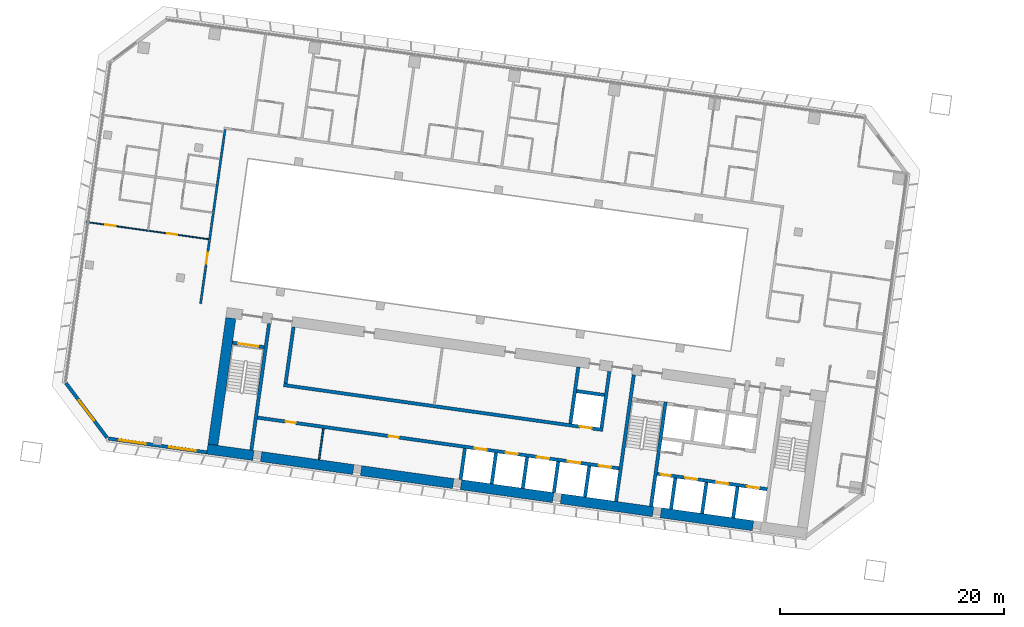
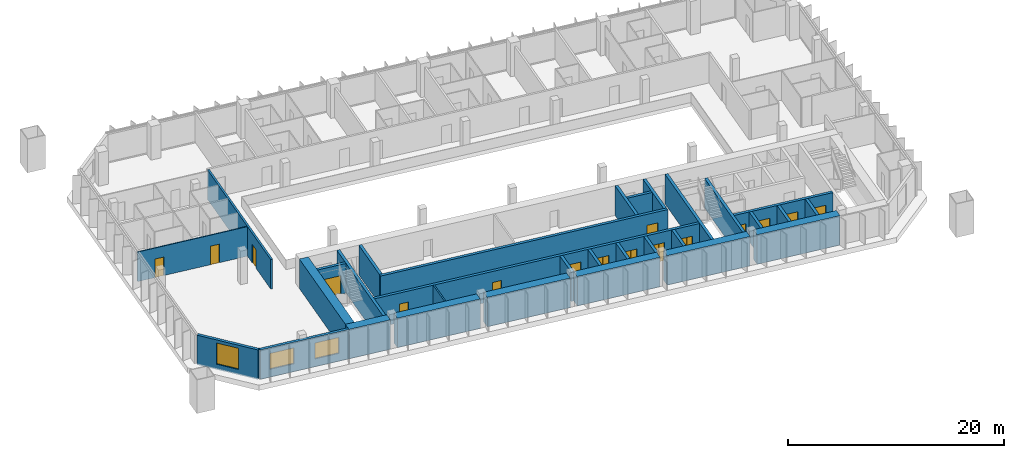
# One storey, part 14 of 25: 31 walls, 16 doors, 3 windows, 19 openings.
"""IFC4 building model written with IfcOpenShell, lengths in metres."""

from ifc_helpers import new_model, si_unit, direction, frame, frame_2d, origin, place, context, subcontext, project, spatial, rectangle, extrude, material, layer, layer_set, type_object, element, fill, save


model = new_model("IFC4")

# Units and contexts
model_context = context("Model", 3, precision=1e-05, world=origin(), true_north=direction((0.0, 1.0)))
body_context = subcontext(model_context, "Body", "Model", "MODEL_VIEW")
ifc_project = project(units=[si_unit("LENGTHUNIT", "METRE"), si_unit("AREAUNIT", "SQUARE_METRE"), si_unit("VOLUMEUNIT", "CUBIC_METRE"), si_unit("PLANEANGLEUNIT", "RADIAN"), si_unit("MASSUNIT", "GRAM", prefix="KILO")], contexts=[model_context])

# Site, building, storey
site_placement = place(None, origin())
site = spatial("IfcSite", under=ifc_project, at=site_placement, CompositionType="ELEMENT")
building_placement = place(site_placement, origin())
building = spatial("IfcBuilding", under=site, at=building_placement, Name="Mirante Cascada Hotel Towers", CompositionType="ELEMENT")
storey_placement = place(building_placement, frame((0.0, 0.0, 58.5)))
storey = spatial("IfcBuildingStorey", under=building, at=storey_placement, Name="L11", CompositionType="ELEMENT", Elevation=58.5)

# Wall, opening, door
ifc_material_1 = material(Name="Fire-rated plasterboard on metal studs")
ifc_layer_1 = layer(ifc_material_1, 0.2)
ifc_layer_set_1 = layer_set([ifc_layer_1], Name="Compartment wall 200 EI 120")
wall_type_1 = type_object("IfcWallType", Name="Compartment wall 200 EI 120", PredefinedType="PARTITIONING", material=ifc_layer_set_1)
wall_1_placement = place(storey_placement, frame((-88.9295, 16.2793, 0.0), z_axis=(0.0, 0.0, 1.0), x_axis=(-0.1391721, -0.9902682, 0.0)))
wall_1 = element("IfcWall", 1, at=wall_1_placement, inside=storey, type_object=wall_type_1, Name="Wall 1-L11-59", PredefinedType="PARTITIONING", context=body_context, shape_type="SweptSolid", body=[
    extrude(rectangle(XDim=15.7, YDim=0.2, at=frame_2d((7.85, 0.0))), origin(), (0.0, 0.0, 1.0), 3.35),
])
opening_1_placement = place(wall_1_placement, frame((11.1, 0.0, 0.0)))
opening_1 = element("IfcOpeningElement", 2, at=opening_1_placement, cuts=wall_1, Name="Opening D1-L11-38", PredefinedType="OPENING", context=body_context, shape_type="SweptSolid", body=[
    extrude(rectangle(XDim=1.0, YDim=2.1, at=frame_2d((0.5, 1.05))), frame((0.0, 0.1, 0.0), z_axis=(0.0, -1.0, 0.0), x_axis=(1.0, 0.0, 0.0)), (0.0, 0.0, 1.0), 0.2),
])
ifc_material_2 = material(Name="Fire-rated timber door leaf", Category="wood")
door_type_1 = type_object("IfcDoorType", Name="Entrance door DG1 1000x2100 EI 60", OperationType="SINGLE_SWING_LEFT", PredefinedType="DOOR", material=ifc_material_2)
door_1_placement = place(opening_1_placement, frame((1.0, 0.0, 0.0), z_axis=(0.0, 0.0, 1.0), x_axis=(-1.0, 0.0, 0.0)))
door_1 = element("IfcDoor", 3, at=door_1_placement, inside=storey, type_object=door_type_1, Name="Door D1-L11-38", OperationType="SINGLE_SWING_RIGHT", OverallHeight=2.1, OverallWidth=1.0, PredefinedType="DOOR", context=body_context, shape_type="SweptSolid", body=[
    extrude(rectangle(XDim=1.0, YDim=2.1, at=frame_2d((0.5, 1.05))), frame((0.0, 0.025, 0.0), z_axis=(0.0, -1.0, 0.0), x_axis=(1.0, 0.0, 0.0)), (0.0, 0.0, 1.0), 0.05),
])
fill(opening_1, door_1)

# Wall
ifc_material_3 = material(Name="Masonry block", Category="masonry")
ifc_layer_2 = layer(ifc_material_3, 0.15)
ifc_layer_set_2 = layer_set([ifc_layer_2], Name="Core room partition 150 block EI 30")
wall_type_2 = type_object("IfcWallType", Name="Core room partition 150 block EI 30", PredefinedType="PARTITIONING", material=ifc_layer_set_2)
wall_2_placement = place(storey_placement, frame((-80.547, -13.174, 0.0), z_axis=(0.0, 0.0, 1.0), x_axis=(0.139176, 0.9902677, 0.0)))
element("IfcWall", 4, at=wall_2_placement, inside=storey, type_object=wall_type_2, Name="Core wall partition T1 L11 5", PredefinedType="PARTITIONING", context=body_context, shape_type="SweptSolid", body=[
    extrude(rectangle(XDim=2.8001, YDim=0.15, at=frame_2d((1.4, 0.0))), origin(), (0.0, 0.0, 1.0), 3.35),
])

# Wall, openings, doors
ifc_material_4 = material(Name="Plasterboard on metal studs")
ifc_layer_3 = layer(ifc_material_4, 0.1)
ifc_layer_set_3 = layer_set([ifc_layer_3], Name="Partition 100")
wall_type_3 = type_object("IfcWallType", Name="Partition 100", PredefinedType="PARTITIONING", material=ifc_layer_set_3)
wall_3_placement = place(storey_placement, frame((-101.2993, 8.0205, 0.0), z_axis=(0.0, 0.0, 1.0), x_axis=(0.990268, -0.1391733, 0.0)))
wall_3 = element("IfcWall", 5, at=wall_3_placement, inside=storey, type_object=wall_type_3, Name="Wall 1-L11-07", PredefinedType="PARTITIONING", context=body_context, shape_type="SweptSolid", body=[
    extrude(rectangle(XDim=11.0, YDim=0.1, at=frame_2d((5.5, 0.0))), origin(), (0.0, 0.0, 1.0), 3.35),
])
opening_2_placement = place(wall_3_placement, frame((7.275, 0.0, 0.0)))
opening_2 = element("IfcOpeningElement", 6, at=opening_2_placement, cuts=wall_3, Name="Opening D1-L11-02", PredefinedType="OPENING", context=body_context, shape_type="SweptSolid", body=[
    extrude(rectangle(XDim=0.9, YDim=2.1, at=frame_2d((0.45, 1.05))), frame((0.0, 0.05, 0.0), z_axis=(0.0, -1.0, 0.0), x_axis=(1.0, 0.0, 0.0)), (0.0, 0.0, 1.0), 0.1),
])
opening_3_placement = place(wall_3_placement, frame((1.725, 0.0, 0.0)))
opening_3 = element("IfcOpeningElement", 7, at=opening_3_placement, cuts=wall_3, Name="Opening D1-L11-03", PredefinedType="OPENING", context=body_context, shape_type="SweptSolid", body=[
    extrude(rectangle(XDim=0.9, YDim=2.1, at=frame_2d((0.45, 1.05))), frame((0.0, 0.05, 0.0), z_axis=(0.0, -1.0, 0.0), x_axis=(1.0, 0.0, 0.0)), (0.0, 0.0, 1.0), 0.1),
])
ifc_material_5 = material(Name="Timber door leaf", Category="wood")
door_type_2 = type_object("IfcDoorType", Name="Room door DG3 900x2100", OperationType="SINGLE_SWING_LEFT", PredefinedType="DOOR", material=ifc_material_5)
door_2_placement = place(opening_2_placement, frame((0.9, 0.0, 0.0), z_axis=(0.0, 0.0, 1.0), x_axis=(-1.0, 0.0, 0.0)))
door_2 = element("IfcDoor", 8, at=door_2_placement, inside=storey, type_object=door_type_2, Name="Door D1-L11-02", OperationType="SINGLE_SWING_RIGHT", OverallHeight=2.1, OverallWidth=0.9, PredefinedType="DOOR", context=body_context, shape_type="SweptSolid", body=[
    extrude(rectangle(XDim=0.9, YDim=2.1, at=frame_2d((0.45, 1.05))), frame((0.0, 0.025, 0.0), z_axis=(0.0, -1.0, 0.0), x_axis=(1.0, 0.0, 0.0)), (0.0, 0.0, 1.0), 0.05),
])
fill(opening_2, door_2)
door_3_placement = place(opening_3_placement, frame((0.9, 0.0, 0.0), z_axis=(0.0, 0.0, 1.0), x_axis=(-1.0, 0.0, 0.0)))
door_3 = element("IfcDoor", 9, at=door_3_placement, inside=storey, type_object=door_type_2, Name="Door D1-L11-03", OperationType="SINGLE_SWING_RIGHT", OverallHeight=2.1, OverallWidth=0.9, PredefinedType="DOOR", context=body_context, shape_type="SweptSolid", body=[
    extrude(rectangle(XDim=0.9, YDim=2.1, at=frame_2d((0.45, 1.05))), frame((0.0, 0.025, 0.0), z_axis=(0.0, -1.0, 0.0), x_axis=(1.0, 0.0, 0.0)), (0.0, 0.0, 1.0), 0.05),
])
fill(opening_3, door_3)

# Wall, openings, windows
ifc_material_6 = material(Name="Precast concrete C40/50", Category="concrete")
ifc_layer_4 = layer(ifc_material_6, 0.3)
ifc_layer_set_4 = layer_set([ifc_layer_4], Name="Precast concrete C40/50 cladding wall 300")
wall_type_4 = type_object("IfcWallType", Name="Precast concrete C40/50 cladding wall 300", PredefinedType="STANDARD", material=ifc_layer_set_4)
wall_4_placement = place(storey_placement, frame((-90.5541, -12.5249, 0.0), z_axis=(0.0, 0.0, 1.0), x_axis=(-0.9902676, 0.1391765, 0.0)))
wall_4 = element("IfcWall", 10, at=wall_4_placement, inside=storey, type_object=wall_type_4, Name="Rear cladding wall T1 L11 1", PredefinedType="STANDARD", context=body_context, shape_type="SweptSolid", body=[
    extrude(rectangle(XDim=8.8758, YDim=0.3, at=frame_2d((4.4379, 0.0))), origin(), (0.0, 0.0, 1.0), 3.35),
])
opening_4_placement = place(wall_4_placement, frame((1.0012, 0.0, 0.9)))
opening_4 = element("IfcOpeningElement", 11, at=opening_4_placement, cuts=wall_4, Name="Opening W1-11-01", PredefinedType="OPENING", context=body_context, shape_type="SweptSolid", body=[
    extrude(rectangle(XDim=2.4, YDim=1.8, at=frame_2d((1.2, 0.9))), frame((0.0, 0.15, 0.0), z_axis=(0.0, -1.0, 0.0), x_axis=(1.0, 0.0, 0.0)), (0.0, 0.0, 1.0), 0.3),
])
opening_5_placement = place(wall_4_placement, frame((5.4923, 0.0, 0.9)))
opening_5 = element("IfcOpeningElement", 12, at=opening_5_placement, cuts=wall_4, Name="Opening W1-11-02", PredefinedType="OPENING", context=body_context, shape_type="SweptSolid", body=[
    extrude(rectangle(XDim=2.4, YDim=1.8, at=frame_2d((1.2, 0.9))), frame((0.0, 0.15, 0.0), z_axis=(0.0, -1.0, 0.0), x_axis=(1.0, 0.0, 0.0)), (0.0, 0.0, 1.0), 0.3),
])
ifc_material_7 = material(Name="Aluminium frame with clear double glazing", Category="aluminium")
window_type_1 = type_object("IfcWindowType", Name="Punched window 2400x1800", PartitioningType="DOUBLE_PANEL_VERTICAL", PredefinedType="WINDOW", material=ifc_material_7)
window_1_placement = place(opening_4_placement, origin())
window_1 = element("IfcWindow", 13, at=window_1_placement, inside=storey, type_object=window_type_1, Name="Window W1-11-01", OverallHeight=1.8, OverallWidth=2.4, PartitioningType="SINGLE_PANEL", PredefinedType="WINDOW", context=body_context, shape_type="SweptSolid", body=[
    extrude(rectangle(XDim=2.4, YDim=1.8, at=frame_2d((1.2, 0.9))), frame((0.0, 0.03, 0.0), z_axis=(0.0, -1.0, 0.0), x_axis=(1.0, 0.0, 0.0)), (0.0, 0.0, 1.0), 0.06),
])
fill(opening_4, window_1)
window_2_placement = place(opening_5_placement, origin())
window_2 = element("IfcWindow", 14, at=window_2_placement, inside=storey, type_object=window_type_1, Name="Window W1-11-02", OverallHeight=1.8, OverallWidth=2.4, PartitioningType="SINGLE_PANEL", PredefinedType="WINDOW", context=body_context, shape_type="SweptSolid", body=[
    extrude(rectangle(XDim=2.4, YDim=1.8, at=frame_2d((1.2, 0.9))), frame((0.0, 0.03, 0.0), z_axis=(0.0, -1.0, 0.0), x_axis=(1.0, 0.0, 0.0)), (0.0, 0.0, 1.0), 0.06),
])
fill(opening_5, window_2)

# Wall, opening, window
wall_5_placement = place(storey_placement, frame((-99.4424, -11.2313, 0.0), z_axis=(0.0, 0.0, 1.0), x_axis=(-0.6018194, 0.7986322, 0.0)))
wall_5 = element("IfcWall", 15, at=wall_5_placement, inside=storey, type_object=wall_type_4, Name="Corner cladding wall T1 L11 rear outer", PredefinedType="STANDARD", context=body_context, shape_type="SweptSolid", body=[
    extrude(rectangle(XDim=6.1155, YDim=0.3, at=frame_2d((3.0578, 0.0))), origin(), (0.0, 0.0, 1.0), 3.35),
])
opening_6_placement = place(wall_5_placement, frame((1.9576, 0.0, 0.6)))
opening_6 = element("IfcOpeningElement", 16, at=opening_6_placement, cuts=wall_5, Name="Opening W1-11-03", PredefinedType="OPENING", context=body_context, shape_type="SweptSolid", body=[
    extrude(rectangle(XDim=2.2, YDim=2.4, at=frame_2d((1.1, 1.2))), frame((0.0, 0.15, 0.0), z_axis=(0.0, -1.0, 0.0), x_axis=(1.0, 0.0, 0.0)), (0.0, 0.0, 1.0), 0.3),
])
ifc_material_8 = material(Name="Aluminium frame with clear double glazing", Category="aluminium")
window_type_2 = type_object("IfcWindowType", Name="Corner suite window 2200x2400", PartitioningType="DOUBLE_PANEL_VERTICAL", PredefinedType="WINDOW", material=ifc_material_8)
window_3_placement = place(opening_6_placement, origin())
window_3 = element("IfcWindow", 17, at=window_3_placement, inside=storey, type_object=window_type_2, Name="Window W1-11-03", OverallHeight=2.4, OverallWidth=2.2, PartitioningType="SINGLE_PANEL", PredefinedType="WINDOW", context=body_context, shape_type="SweptSolid", body=[
    extrude(rectangle(XDim=2.2, YDim=2.4, at=frame_2d((1.1, 1.2))), frame((0.0, 0.03, 0.0), z_axis=(0.0, -1.0, 0.0), x_axis=(1.0, 0.0, 0.0)), (0.0, 0.0, 1.0), 0.06),
])
fill(opening_6, window_3)

# Walls
ifc_material_9 = material(Name="Concrete C50/60", Category="concrete")
ifc_layer_5 = layer(ifc_material_9, 0.3)
ifc_layer_set_5 = layer_set([ifc_layer_5], Name="RC core wall 300 C50/60")
wall_type_5 = type_object("IfcWallType", Name="RC core wall 300 C50/60", PredefinedType="SHEAR", material=ifc_layer_set_5)
wall_6_placement = place(storey_placement, frame((-50.938, -17.3352, 0.0), z_axis=(0.0, 0.0, 1.0), x_axis=(0.1391706, 0.9902684, 0.0)))
element("IfcWall", 18, at=wall_6_placement, inside=storey, type_object=wall_type_5, Name="Core wall T1:L11:6", PredefinedType="SHEAR", context=body_context, shape_type="SweptSolid", body=[
    extrude(rectangle(XDim=9.4, YDim=0.3, at=frame_2d((4.7, 0.0))), origin(), (0.0, 0.0, 1.0), 3.35),
])
wall_7_placement = place(storey_placement, frame((-54.0574, -16.8968, 0.0), z_axis=(0.0, 0.0, 1.0), x_axis=(0.1391761, 0.9902677, 0.0)))
element("IfcWall", 19, at=wall_7_placement, inside=storey, type_object=wall_type_5, Name="Core wall T1:L11:7", PredefinedType="SHEAR", context=body_context, shape_type="SweptSolid", body=[
    extrude(rectangle(XDim=11.3999, YDim=0.3, at=frame_2d((5.7, 0.0))), origin(), (0.0, 0.0, 1.0), 3.35),
])
wall_8_placement = place(storey_placement, frame((-86.5877, -12.325, 0.0), z_axis=(0.0, 0.0, 1.0), x_axis=(0.1391749, 0.9902678, 0.0)))
element("IfcWall", 20, at=wall_8_placement, inside=storey, type_object=wall_type_5, Name="Core wall T1:L11:8", PredefinedType="SHEAR", context=body_context, shape_type="SweptSolid", body=[
    extrude(rectangle(XDim=11.4, YDim=0.3, at=frame_2d((5.7, 0.0))), origin(), (0.0, 0.0, 1.0), 3.35),
])

# Wall, opening, door
wall_9_placement = place(storey_placement, frame((-85.4489, -3.1441, 0.0), z_axis=(0.0, 0.0, 1.0), x_axis=(-0.9902697, 0.1391613, 0.0)))
wall_9 = element("IfcWall", 21, at=wall_9_placement, inside=storey, type_object=wall_type_5, Name="Core wall T1:L11:11", PredefinedType="SHEAR", context=body_context, shape_type="SweptSolid", body=[
    extrude(rectangle(XDim=2.8499, YDim=0.3, at=frame_2d((1.425, 0.0))), origin(), (0.0, 0.0, 1.0), 3.35),
])
opening_7_placement = place(wall_9_placement, frame((0.525, 0.0, 0.0)))
opening_7 = element("IfcOpeningElement", 22, at=opening_7_placement, cuts=wall_9, Name="Opening D1-11-C17", PredefinedType="OPENING", context=body_context, shape_type="SweptSolid", body=[
    extrude(rectangle(XDim=1.8, YDim=2.1, at=frame_2d((0.9, 1.05))), frame((0.0, 0.15, 0.0), z_axis=(0.0, -1.0, 0.0), x_axis=(1.0, 0.0, 0.0)), (0.0, 0.0, 1.0), 0.3),
])
ifc_material_10 = material(Name="Hollow metal fire door leaf")
door_type_3 = type_object("IfcDoorType", Name="Double fire door 1800x2100 FD60", OperationType="DOUBLE_DOOR_SINGLE_SWING", PredefinedType="DOOR", material=ifc_material_10)
door_4_placement = place(opening_7_placement, origin())
door_4 = element("IfcDoor", 23, at=door_4_placement, inside=storey, type_object=door_type_3, Name="Stair door T1 L11 17", OperationType="DOUBLE_DOOR_SINGLE_SWING", OverallHeight=2.1, OverallWidth=1.8, PredefinedType="DOOR", context=body_context, shape_type="SweptSolid", body=[
    extrude(rectangle(XDim=0.895, YDim=2.1, at=frame_2d((0.4475, 1.05))), frame((0.0, 0.025, 0.0), z_axis=(0.0, -1.0, 0.0), x_axis=(1.0, 0.0, 0.0)), (0.0, 0.0, 1.0), 0.05),
    extrude(rectangle(XDim=0.895, YDim=2.1, at=frame_2d((1.3525, 1.05))), frame((0.0, 0.025, 0.0), z_axis=(0.0, -1.0, 0.0), x_axis=(1.0, 0.0, 0.0)), (0.0, 0.0, 1.0), 0.05),
])
fill(opening_7, door_4)

# Wall, openings, doors
wall_10_placement = place(storey_placement, frame((-40.5753, -15.8126, 0.0), z_axis=(0.0, 0.0, 1.0), x_axis=(-0.9902682, 0.1391725, 0.0)))
wall_10 = element("IfcWall", 24, at=wall_10_placement, inside=storey, type_object=wall_type_5, Name="Core wall T1:L11:12", PredefinedType="SHEAR", context=body_context, shape_type="SweptSolid", body=[
    extrude(rectangle(XDim=9.8999, YDim=0.3, at=frame_2d((4.95, 0.0))), origin(), (0.0, 0.0, 1.0), 3.35),
])
opening_8_placement = place(wall_10_placement, frame((0.7, 0.0, 0.0)))
opening_8 = element("IfcOpeningElement", 25, at=opening_8_placement, cuts=wall_10, Name="Opening LD", PredefinedType="OPENING", context=body_context, shape_type="SweptSolid", body=[
    extrude(rectangle(XDim=1.1, YDim=2.1, at=frame_2d((0.55, 1.05))), frame((0.0, 0.15, 0.0), z_axis=(0.0, -1.0, 0.0), x_axis=(1.0, 0.0, 0.0)), (0.0, 0.0, 1.0), 0.3),
])
opening_9_placement = place(wall_10_placement, frame((3.5, 0.0, 0.0)))
opening_9 = element("IfcOpeningElement", 26, at=opening_9_placement, cuts=wall_10, Name="Opening LD", PredefinedType="OPENING", context=body_context, shape_type="SweptSolid", body=[
    extrude(rectangle(XDim=1.1, YDim=2.1, at=frame_2d((0.55, 1.05))), frame((0.0, 0.15, 0.0), z_axis=(0.0, -1.0, 0.0), x_axis=(1.0, 0.0, 0.0)), (0.0, 0.0, 1.0), 0.3),
])
opening_10_placement = place(wall_10_placement, frame((6.3, 0.0, 0.0)))
opening_10 = element("IfcOpeningElement", 27, at=opening_10_placement, cuts=wall_10, Name="Opening LD", PredefinedType="OPENING", context=body_context, shape_type="SweptSolid", body=[
    extrude(rectangle(XDim=1.1, YDim=2.1, at=frame_2d((0.55, 1.05))), frame((0.0, 0.15, 0.0), z_axis=(0.0, -1.0, 0.0), x_axis=(1.0, 0.0, 0.0)), (0.0, 0.0, 1.0), 0.3),
])
opening_11_placement = place(wall_10_placement, frame((8.7, 0.0, 0.0)))
opening_11 = element("IfcOpeningElement", 28, at=opening_11_placement, cuts=wall_10, Name="Opening D1-11-C22", PredefinedType="OPENING", context=body_context, shape_type="SweptSolid", body=[
    extrude(rectangle(XDim=0.9, YDim=2.1, at=frame_2d((0.45, 1.05))), frame((0.0, 0.15, 0.0), z_axis=(0.0, -1.0, 0.0), x_axis=(1.0, 0.0, 0.0)), (0.0, 0.0, 1.0), 0.3),
])
ifc_material_11 = material(Name="Hollow metal fire door leaf")
door_type_4 = type_object("IfcDoorType", Name="Fire door 900x2100 FD60", OperationType="NOTDEFINED", PredefinedType="DOOR", material=ifc_material_11)
door_5_placement = place(opening_11_placement, origin())
door_5 = element("IfcDoor", 29, at=door_5_placement, inside=storey, type_object=door_type_4, Name="Riser door T1 L11 22", OperationType="SINGLE_SWING_LEFT", OverallHeight=2.1, OverallWidth=0.9, PredefinedType="DOOR", context=body_context, shape_type="SweptSolid", body=[
    extrude(rectangle(XDim=0.9, YDim=2.1, at=frame_2d((0.45, 1.05))), frame((0.0, 0.025, 0.0), z_axis=(0.0, -1.0, 0.0), x_axis=(1.0, 0.0, 0.0)), (0.0, 0.0, 1.0), 0.05),
])
fill(opening_11, door_5)
ifc_material_12 = material(Name="Stainless steel", Category="steel")
door_type_5 = type_object("IfcDoorType", Name="Lift landing door 1100x2100 EI 120", OperationType="DOUBLE_DOOR_SLIDING", PredefinedType="DOOR", material=ifc_material_12)
door_6_placement = place(opening_8_placement, origin())
door_6 = element("IfcDoor", 30, at=door_6_placement, inside=storey, type_object=door_type_5, Name="Lift landing door HR1-1 L11", OperationType="DOUBLE_DOOR_SLIDING", OverallHeight=2.1, OverallWidth=1.1, PredefinedType="DOOR", context=body_context, shape_type="SweptSolid", body=[
    extrude(rectangle(XDim=0.545, YDim=2.1, at=frame_2d((0.2725, 1.05))), frame((0.0, 0.025, 0.0), z_axis=(0.0, -1.0, 0.0), x_axis=(1.0, 0.0, 0.0)), (0.0, 0.0, 1.0), 0.05),
    extrude(rectangle(XDim=0.545, YDim=2.1, at=frame_2d((0.8275, 1.05))), frame((0.0, 0.025, 0.0), z_axis=(0.0, -1.0, 0.0), x_axis=(1.0, 0.0, 0.0)), (0.0, 0.0, 1.0), 0.05),
])
fill(opening_8, door_6)
door_7_placement = place(opening_9_placement, origin())
door_7 = element("IfcDoor", 31, at=door_7_placement, inside=storey, type_object=door_type_5, Name="Lift landing door HR1-2 L11", OperationType="DOUBLE_DOOR_SLIDING", OverallHeight=2.1, OverallWidth=1.1, PredefinedType="DOOR", context=body_context, shape_type="SweptSolid", body=[
    extrude(rectangle(XDim=0.545, YDim=2.1, at=frame_2d((0.2725, 1.05))), frame((0.0, 0.025, 0.0), z_axis=(0.0, -1.0, 0.0), x_axis=(1.0, 0.0, 0.0)), (0.0, 0.0, 1.0), 0.05),
    extrude(rectangle(XDim=0.545, YDim=2.1, at=frame_2d((0.8275, 1.05))), frame((0.0, 0.025, 0.0), z_axis=(0.0, -1.0, 0.0), x_axis=(1.0, 0.0, 0.0)), (0.0, 0.0, 1.0), 0.05),
])
fill(opening_9, door_7)
door_8_placement = place(opening_10_placement, origin())
door_8 = element("IfcDoor", 32, at=door_8_placement, inside=storey, type_object=door_type_5, Name="Lift landing door HR1-3 L11", OperationType="DOUBLE_DOOR_SLIDING", OverallHeight=2.1, OverallWidth=1.1, PredefinedType="DOOR", context=body_context, shape_type="SweptSolid", body=[
    extrude(rectangle(XDim=0.545, YDim=2.1, at=frame_2d((0.2725, 1.05))), frame((0.0, 0.025, 0.0), z_axis=(0.0, -1.0, 0.0), x_axis=(1.0, 0.0, 0.0)), (0.0, 0.0, 1.0), 0.05),
    extrude(rectangle(XDim=0.545, YDim=2.1, at=frame_2d((0.8275, 1.05))), frame((0.0, 0.025, 0.0), z_axis=(0.0, -1.0, 0.0), x_axis=(1.0, 0.0, 0.0)), (0.0, 0.0, 1.0), 0.05),
])
fill(opening_10, door_8)

# Walls
wall_11_placement = place(storey_placement, frame((-43.61, -18.3651, 0.0), z_axis=(0.0, 0.0, 1.0), x_axis=(0.1391459, 0.9902719, 0.0)))
element("IfcWall", 33, at=wall_11_placement, inside=storey, type_object=wall_type_5, Name="Core wall T1:L11:15", PredefinedType="SHEAR", context=body_context, shape_type="SweptSolid", body=[
    extrude(rectangle(XDim=2.7999, YDim=0.3, at=frame_2d((1.4, 0.0))), origin(), (0.0, 0.0, 1.0), 3.35),
])
wall_12_placement = place(storey_placement, frame((-46.3828, -17.9754, 0.0), z_axis=(0.0, 0.0, 1.0), x_axis=(0.139181, 0.990267, 0.0)))
element("IfcWall", 34, at=wall_12_placement, inside=storey, type_object=wall_type_5, Name="Core wall T1:L11:16", PredefinedType="SHEAR", context=body_context, shape_type="SweptSolid", body=[
    extrude(rectangle(XDim=2.8, YDim=0.3, at=frame_2d((1.4, 0.0))), origin(), (0.0, 0.0, 1.0), 3.35),
])
wall_13_placement = place(storey_placement, frame((-49.1555, -17.5857, 0.0), z_axis=(0.0, 0.0, 1.0), x_axis=(0.1391459, 0.9902719, 0.0)))
element("IfcWall", 35, at=wall_13_placement, inside=storey, type_object=wall_type_5, Name="Core wall T1:L11:17", PredefinedType="SHEAR", context=body_context, shape_type="SweptSolid", body=[
    extrude(rectangle(XDim=2.7999, YDim=0.3, at=frame_2d((1.4, 0.0))), origin(), (0.0, 0.0, 1.0), 3.35),
])

# Wall, openings, doors
wall_14_placement = place(storey_placement, frame((-53.7953, -13.9547, 0.0), z_axis=(0.0, 0.0, 1.0), x_axis=(-0.990268, 0.1391733, 0.0)))
wall_14 = element("IfcWall", 36, at=wall_14_placement, inside=storey, type_object=wall_type_5, Name="Core wall T1:L11:25", PredefinedType="SHEAR", context=body_context, shape_type="SweptSolid", body=[
    extrude(rectangle(XDim=32.5501, YDim=0.3, at=frame_2d((16.275, 0.0))), origin(), (0.0, 0.0, 1.0), 3.35),
])
opening_12_placement = place(wall_14_placement, frame((0.7, 0.0, 0.0)))
opening_12 = element("IfcOpeningElement", 37, at=opening_12_placement, cuts=wall_14, Name="Opening LD", PredefinedType="OPENING", context=body_context, shape_type="SweptSolid", body=[
    extrude(rectangle(XDim=1.1, YDim=2.1, at=frame_2d((0.55, 1.05))), frame((0.0, 0.15, 0.0), z_axis=(0.0, -1.0, 0.0), x_axis=(1.0, 0.0, 0.0)), (0.0, 0.0, 1.0), 0.3),
])
opening_13_placement = place(wall_14_placement, frame((3.5, 0.0, 0.0)))
opening_13 = element("IfcOpeningElement", 38, at=opening_13_placement, cuts=wall_14, Name="Opening LD", PredefinedType="OPENING", context=body_context, shape_type="SweptSolid", body=[
    extrude(rectangle(XDim=1.1, YDim=2.1, at=frame_2d((0.55, 1.05))), frame((0.0, 0.15, 0.0), z_axis=(0.0, -1.0, 0.0), x_axis=(1.0, 0.0, 0.0)), (0.0, 0.0, 1.0), 0.3),
])
opening_14_placement = place(wall_14_placement, frame((6.3, 0.0, 0.0)))
opening_14 = element("IfcOpeningElement", 39, at=opening_14_placement, cuts=wall_14, Name="Opening LD", PredefinedType="OPENING", context=body_context, shape_type="SweptSolid", body=[
    extrude(rectangle(XDim=1.1, YDim=2.1, at=frame_2d((0.55, 1.05))), frame((0.0, 0.15, 0.0), z_axis=(0.0, -1.0, 0.0), x_axis=(1.0, 0.0, 0.0)), (0.0, 0.0, 1.0), 0.3),
])
opening_15_placement = place(wall_14_placement, frame((9.1, 0.0, 0.0)))
opening_15 = element("IfcOpeningElement", 40, at=opening_15_placement, cuts=wall_14, Name="Opening LD", PredefinedType="OPENING", context=body_context, shape_type="SweptSolid", body=[
    extrude(rectangle(XDim=1.1, YDim=2.1, at=frame_2d((0.55, 1.05))), frame((0.0, 0.15, 0.0), z_axis=(0.0, -1.0, 0.0), x_axis=(1.0, 0.0, 0.0)), (0.0, 0.0, 1.0), 0.3),
])
opening_16_placement = place(wall_14_placement, frame((11.9, 0.0, 0.0)))
opening_16 = element("IfcOpeningElement", 41, at=opening_16_placement, cuts=wall_14, Name="Opening LD", PredefinedType="OPENING", context=body_context, shape_type="SweptSolid", body=[
    extrude(rectangle(XDim=1.1, YDim=2.1, at=frame_2d((0.55, 1.05))), frame((0.0, 0.15, 0.0), z_axis=(0.0, -1.0, 0.0), x_axis=(1.0, 0.0, 0.0)), (0.0, 0.0, 1.0), 0.3),
])
opening_17_placement = place(wall_14_placement, frame((19.85, 0.0, 0.0)))
opening_17 = element("IfcOpeningElement", 42, at=opening_17_placement, cuts=wall_14, Name="Opening D1-11-C26", PredefinedType="OPENING", context=body_context, shape_type="SweptSolid", body=[
    extrude(rectangle(XDim=0.9, YDim=2.1, at=frame_2d((0.45, 1.05))), frame((0.0, 0.15, 0.0), z_axis=(0.0, -1.0, 0.0), x_axis=(1.0, 0.0, 0.0)), (0.0, 0.0, 1.0), 0.3),
])
opening_18_placement = place(wall_14_placement, frame((29.125, 0.0, 0.0)))
opening_18 = element("IfcOpeningElement", 43, at=opening_18_placement, cuts=wall_14, Name="Opening D1-11-C27", PredefinedType="OPENING", context=body_context, shape_type="SweptSolid", body=[
    extrude(rectangle(XDim=0.9, YDim=2.1, at=frame_2d((0.45, 1.05))), frame((0.0, 0.15, 0.0), z_axis=(0.0, -1.0, 0.0), x_axis=(1.0, 0.0, 0.0)), (0.0, 0.0, 1.0), 0.3),
])
door_9_placement = place(opening_17_placement, origin())
door_9 = element("IfcDoor", 44, at=door_9_placement, inside=storey, type_object=door_type_4, Name="Room door T1 L11 26", OperationType="SINGLE_SWING_LEFT", OverallHeight=2.1, OverallWidth=0.9, PredefinedType="DOOR", context=body_context, shape_type="SweptSolid", body=[
    extrude(rectangle(XDim=0.9, YDim=2.1, at=frame_2d((0.45, 1.05))), frame((0.0, 0.025, 0.0), z_axis=(0.0, -1.0, 0.0), x_axis=(1.0, 0.0, 0.0)), (0.0, 0.0, 1.0), 0.05),
])
fill(opening_17, door_9)
door_10_placement = place(opening_18_placement, origin())
door_10 = element("IfcDoor", 45, at=door_10_placement, inside=storey, type_object=door_type_4, Name="Room door T1 L11 27", OperationType="SINGLE_SWING_LEFT", OverallHeight=2.1, OverallWidth=0.9, PredefinedType="DOOR", context=body_context, shape_type="SweptSolid", body=[
    extrude(rectangle(XDim=0.9, YDim=2.1, at=frame_2d((0.45, 1.05))), frame((0.0, 0.025, 0.0), z_axis=(0.0, -1.0, 0.0), x_axis=(1.0, 0.0, 0.0)), (0.0, 0.0, 1.0), 0.05),
])
fill(opening_18, door_10)
door_11_placement = place(opening_12_placement, origin())
door_11 = element("IfcDoor", 46, at=door_11_placement, inside=storey, type_object=door_type_5, Name="Lift landing door LR1-1 L11", OperationType="DOUBLE_DOOR_SLIDING", OverallHeight=2.1, OverallWidth=1.1, PredefinedType="DOOR", context=body_context, shape_type="SweptSolid", body=[
    extrude(rectangle(XDim=0.545, YDim=2.1, at=frame_2d((0.2725, 1.05))), frame((0.0, 0.025, 0.0), z_axis=(0.0, -1.0, 0.0), x_axis=(1.0, 0.0, 0.0)), (0.0, 0.0, 1.0), 0.05),
    extrude(rectangle(XDim=0.545, YDim=2.1, at=frame_2d((0.8275, 1.05))), frame((0.0, 0.025, 0.0), z_axis=(0.0, -1.0, 0.0), x_axis=(1.0, 0.0, 0.0)), (0.0, 0.0, 1.0), 0.05),
])
fill(opening_12, door_11)
door_12_placement = place(opening_13_placement, origin())
door_12 = element("IfcDoor", 47, at=door_12_placement, inside=storey, type_object=door_type_5, Name="Lift landing door LR1-2 L11", OperationType="DOUBLE_DOOR_SLIDING", OverallHeight=2.1, OverallWidth=1.1, PredefinedType="DOOR", context=body_context, shape_type="SweptSolid", body=[
    extrude(rectangle(XDim=0.545, YDim=2.1, at=frame_2d((0.2725, 1.05))), frame((0.0, 0.025, 0.0), z_axis=(0.0, -1.0, 0.0), x_axis=(1.0, 0.0, 0.0)), (0.0, 0.0, 1.0), 0.05),
    extrude(rectangle(XDim=0.545, YDim=2.1, at=frame_2d((0.8275, 1.05))), frame((0.0, 0.025, 0.0), z_axis=(0.0, -1.0, 0.0), x_axis=(1.0, 0.0, 0.0)), (0.0, 0.0, 1.0), 0.05),
])
fill(opening_13, door_12)
door_13_placement = place(opening_14_placement, origin())
door_13 = element("IfcDoor", 48, at=door_13_placement, inside=storey, type_object=door_type_5, Name="Lift landing door SV1-1 L11", OperationType="DOUBLE_DOOR_SLIDING", OverallHeight=2.1, OverallWidth=1.1, PredefinedType="DOOR", context=body_context, shape_type="SweptSolid", body=[
    extrude(rectangle(XDim=0.545, YDim=2.1, at=frame_2d((0.2725, 1.05))), frame((0.0, 0.025, 0.0), z_axis=(0.0, -1.0, 0.0), x_axis=(1.0, 0.0, 0.0)), (0.0, 0.0, 1.0), 0.05),
    extrude(rectangle(XDim=0.545, YDim=2.1, at=frame_2d((0.8275, 1.05))), frame((0.0, 0.025, 0.0), z_axis=(0.0, -1.0, 0.0), x_axis=(1.0, 0.0, 0.0)), (0.0, 0.0, 1.0), 0.05),
])
fill(opening_14, door_13)
door_14_placement = place(opening_15_placement, origin())
door_14 = element("IfcDoor", 49, at=door_14_placement, inside=storey, type_object=door_type_5, Name="Lift landing door SV1-2 L11", OperationType="DOUBLE_DOOR_SLIDING", OverallHeight=2.1, OverallWidth=1.1, PredefinedType="DOOR", context=body_context, shape_type="SweptSolid", body=[
    extrude(rectangle(XDim=0.545, YDim=2.1, at=frame_2d((0.2725, 1.05))), frame((0.0, 0.025, 0.0), z_axis=(0.0, -1.0, 0.0), x_axis=(1.0, 0.0, 0.0)), (0.0, 0.0, 1.0), 0.05),
    extrude(rectangle(XDim=0.545, YDim=2.1, at=frame_2d((0.8275, 1.05))), frame((0.0, 0.025, 0.0), z_axis=(0.0, -1.0, 0.0), x_axis=(1.0, 0.0, 0.0)), (0.0, 0.0, 1.0), 0.05),
])
fill(opening_15, door_14)
door_15_placement = place(opening_16_placement, origin())
door_15 = element("IfcDoor", 50, at=door_15_placement, inside=storey, type_object=door_type_5, Name="Lift landing door SV1-3 L11", OperationType="DOUBLE_DOOR_SLIDING", OverallHeight=2.1, OverallWidth=1.1, PredefinedType="DOOR", context=body_context, shape_type="SweptSolid", body=[
    extrude(rectangle(XDim=0.545, YDim=2.1, at=frame_2d((0.2725, 1.05))), frame((0.0, 0.025, 0.0), z_axis=(0.0, -1.0, 0.0), x_axis=(1.0, 0.0, 0.0)), (0.0, 0.0, 1.0), 0.05),
    extrude(rectangle(XDim=0.545, YDim=2.1, at=frame_2d((0.8275, 1.05))), frame((0.0, 0.025, 0.0), z_axis=(0.0, -1.0, 0.0), x_axis=(1.0, 0.0, 0.0)), (0.0, 0.0, 1.0), 0.05),
])
fill(opening_16, door_15)

# Walls
for number, where, z_axis, x_axis, name in (
    (51, (-56.8301, -16.5072, 0.0), (0.0, 0.0, 1.0), (0.139176, 0.9902677, 0.0), "Core wall T1:L11:26"),
    (52, (-59.6029, -16.1175, 0.0), (0.0, 0.0, 1.0), (0.139176, 0.9902677, 0.0), "Core wall T1:L11:27"),
    (53, (-62.3756, -15.7278, 0.0), (0.0, 0.0, 1.0), (0.139176, 0.9902677, 0.0), "Core wall T1:L11:28"),
    (54, (-65.1484, -15.3381, 0.0), (0.0, 0.0, 1.0), (0.139176, 0.9902677, 0.0), "Core wall T1:L11:29"),
):
    element("IfcWall", number, at=place(storey_placement, frame(where, z_axis=z_axis, x_axis=x_axis)), inside=storey, type_object=wall_type_5, Name=name, PredefinedType="SHEAR", context=body_context, shape_type="SweptSolid", body=[
        extrude(rectangle(XDim=2.8001, YDim=0.3, at=frame_2d((1.4, 0.0))), origin(), (0.0, 0.0, 1.0), 3.35),
    ])
wall_15_placement = place(storey_placement, frame((-67.9211, -14.9484, 0.0), z_axis=(0.0, 0.0, 1.0), x_axis=(0.139181, 0.990267, 0.0)))
element("IfcWall", 55, at=wall_15_placement, inside=storey, type_object=wall_type_5, Name="Core wall T1:L11:30", PredefinedType="SHEAR", context=body_context, shape_type="SweptSolid", body=[
    extrude(rectangle(XDim=2.8, YDim=0.3, at=frame_2d((1.4, 0.0))), origin(), (0.0, 0.0, 1.0), 3.35),
])

# Wall, opening, door
wall_16_placement = place(storey_placement, frame((-55.2315, -10.5214, 0.0), z_axis=(0.0, 0.0, 1.0), x_axis=(-0.9902682, 0.1391722, 0.0)))
wall_16 = element("IfcWall", 56, at=wall_16_placement, inside=storey, type_object=wall_type_5, Name="Core wall T1:L11:32", PredefinedType="SHEAR", context=body_context, shape_type="SweptSolid", body=[
    extrude(rectangle(XDim=28.75, YDim=0.3, at=frame_2d((14.375, 0.0))), origin(), (0.0, 0.0, 1.0), 3.35),
])
opening_19_placement = place(wall_16_placement, frame((1.0, 0.0, 0.0)))
opening_19 = element("IfcOpeningElement", 57, at=opening_19_placement, cuts=wall_16, Name="Opening LD", PredefinedType="OPENING", context=body_context, shape_type="SweptSolid", body=[
    extrude(rectangle(XDim=1.1, YDim=2.1, at=frame_2d((0.55, 1.05))), frame((0.0, 0.15, 0.0), z_axis=(0.0, -1.0, 0.0), x_axis=(1.0, 0.0, 0.0)), (0.0, 0.0, 1.0), 0.3),
])
door_16_placement = place(opening_19_placement, origin())
door_16 = element("IfcDoor", 58, at=door_16_placement, inside=storey, type_object=door_type_5, Name="Lift landing door LR1-3 L11", OperationType="DOUBLE_DOOR_SLIDING", OverallHeight=2.1, OverallWidth=1.1, PredefinedType="DOOR", context=body_context, shape_type="SweptSolid", body=[
    extrude(rectangle(XDim=0.545, YDim=2.1, at=frame_2d((0.2725, 1.05))), frame((0.0, 0.025, 0.0), z_axis=(0.0, -1.0, 0.0), x_axis=(1.0, 0.0, 0.0)), (0.0, 0.0, 1.0), 0.05),
    extrude(rectangle(XDim=0.545, YDim=2.1, at=frame_2d((0.8275, 1.05))), frame((0.0, 0.025, 0.0), z_axis=(0.0, -1.0, 0.0), x_axis=(1.0, 0.0, 0.0)), (0.0, 0.0, 1.0), 0.05),
])
fill(opening_19, door_16)

# Walls
for number, where, z_axis, x_axis, name in (
    (59, (-55.3592, -10.352, 0.0), (0.0, 0.0, 1.0), (0.1391755, 0.9902677, 0.0), "Core wall T1:L11:33"),
    (60, (-83.5323, -6.3925, 0.0), (0.0, 0.0, 1.0), (0.1391755, 0.9902677, 0.0), "Core wall T1:L11:34"),
    (61, (-58.1319, -9.9623, 0.0), (0.0, 0.0, 1.0), (0.1391755, 0.9902677, 0.0), "Core wall T1:L11:35"),
):
    element("IfcWall", number, at=place(storey_placement, frame(where, z_axis=z_axis, x_axis=x_axis)), inside=storey, type_object=wall_type_5, Name=name, PredefinedType="SHEAR", context=body_context, shape_type="SweptSolid", body=[
        extrude(rectangle(XDim=5.1, YDim=0.3, at=frame_2d((2.55, 0.0))), origin(), (0.0, 0.0, 1.0), 3.35),
    ])
wall_17_placement = place(storey_placement, frame((-55.0971, -7.4098, 0.0), z_axis=(0.0, 0.0, 1.0), x_axis=(-0.9902701, 0.1391586, 0.0)))
element("IfcWall", 62, at=wall_17_placement, inside=storey, type_object=wall_type_5, Name="Core wall T1:L11:36", PredefinedType="SHEAR", context=body_context, shape_type="SweptSolid", body=[
    extrude(rectangle(XDim=2.5, YDim=0.3, at=frame_2d((1.25, 0.0))), origin(), (0.0, 0.0, 1.0), 3.35),
])
ifc_material_13 = material(Name="Concrete C50/60", Category="concrete")
ifc_layer_6 = layer(ifc_material_13, 0.9)
ifc_layer_set_6 = layer_set([ifc_layer_6], Name="RC core wall 900 C50/60")
wall_type_6 = type_object("IfcWallType", Name="RC core wall 900 C50/60", PredefinedType="SHEAR", material=ifc_layer_set_6)
for number, where, z_axis, x_axis, name in (
    (63, (-41.8407, -19.0682, 0.0), (0.0, 0.0, 1.0), (-0.9902686, 0.1391692, 0.0), "Core wall T1:L11:1.2"),
    (64, (-50.7531, -17.8156, 0.0), (0.0, 0.0, 1.0), (-0.9902686, 0.1391692, 0.0), "Core wall T1:L11:1.3"),
    (65, (-59.6655, -16.5631, 0.0), (0.0, 0.0, 1.0), (-0.9902686, 0.1391692, 0.0), "Core wall T1:L11:1.4"),
    (66, (-68.5779, -15.3105, 0.0), (0.0, 0.0, 1.0), (-0.9902686, 0.1391692, 0.0), "Core wall T1:L11:1.5"),
    (67, (-77.4903, -14.058, 0.0), (0.0, 0.0, 1.0), (-0.990267, 0.139181, 0.0), "Core wall T1:L11:1.6"),
):
    element("IfcWall", number, at=place(storey_placement, frame(where, z_axis=z_axis, x_axis=x_axis)), inside=storey, type_object=wall_type_6, Name=name, PredefinedType="SHEAR", context=body_context, shape_type="SweptSolid", body=[
        extrude(rectangle(XDim=8.3, YDim=0.9, at=frame_2d((4.15, 0.0))), origin(), (0.0, 0.0, 1.0), 3.35),
    ])
wall_18_placement = place(storey_placement, frame((-86.4027, -12.8054, 0.0), z_axis=(0.0, 0.0, 1.0), x_axis=(-0.990267, 0.139181, 0.0)))
element("IfcWall", 68, at=wall_18_placement, inside=storey, type_object=wall_type_6, Name="Core wall T1:L11:1.7", PredefinedType="SHEAR", context=body_context, shape_type="SweptSolid", body=[
    extrude(rectangle(XDim=4.15, YDim=0.9, at=frame_2d((2.075, 0.0))), origin(), (0.0, 0.0, 1.0), 3.35),
])
wall_19_placement = place(storey_placement, frame((-90.0041, -11.8449, 0.0), z_axis=(0.0, 0.0, 1.0), x_axis=(0.1391749, 0.9902678, 0.0)))
element("IfcWall", 69, at=wall_19_placement, inside=storey, type_object=wall_type_6, Name="Core wall T1:L11:4", PredefinedType="SHEAR", context=body_context, shape_type="SweptSolid", body=[
    extrude(rectangle(XDim=11.4, YDim=0.9, at=frame_2d((5.7, 0.0))), origin(), (0.0, 0.0, 1.0), 3.35),
])

save(model, "model.ifc")
